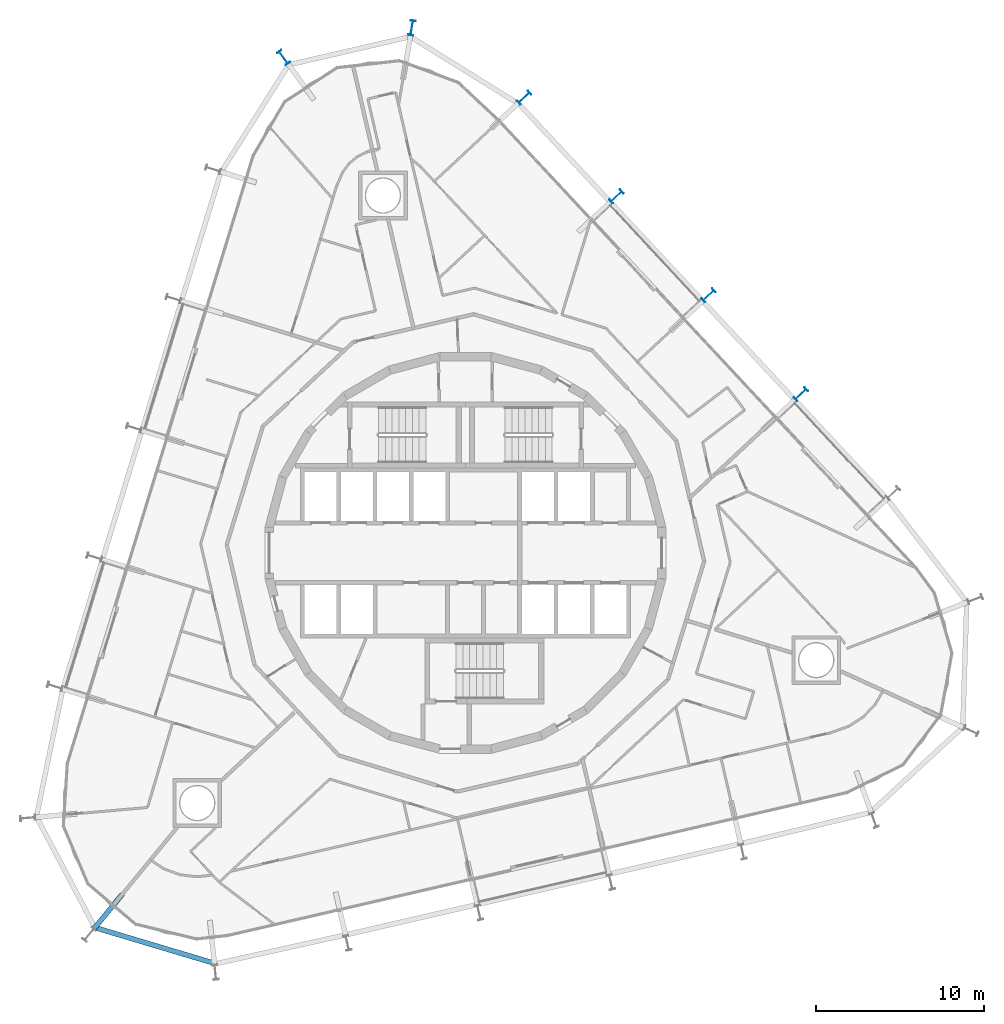
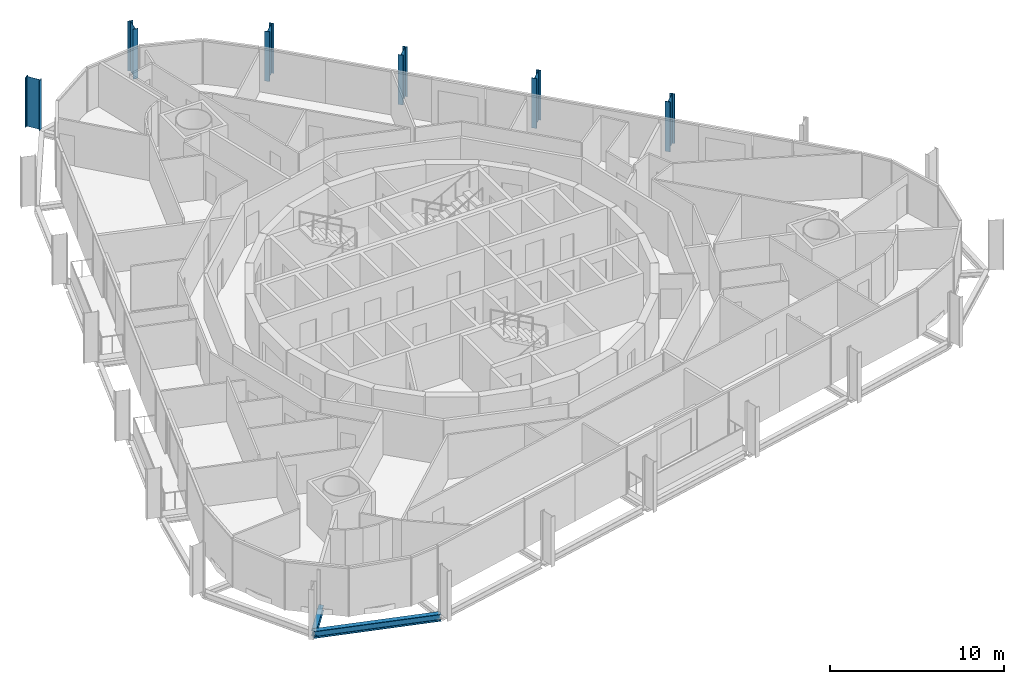
# One storey, part 2 of 18: 6 columns, 2 beams.
"""IFC4 building model written with IfcOpenShell, lengths in metres."""

from ifc_helpers import new_model, si_unit, direction, frame, origin, origin_2d, place, context, subcontext, project, spatial, i_section, extrude, material, material_profile, profile_set, type_object, element, save


model = new_model("IFC4")

# Units and contexts
model_context = context("Model", 3, precision=1e-05, world=origin(), true_north=direction((0.0, 1.0)))
body_context = subcontext(model_context, "Body", "Model", "MODEL_VIEW")
ifc_project = project(units=[si_unit("LENGTHUNIT", "METRE"), si_unit("AREAUNIT", "SQUARE_METRE"), si_unit("VOLUMEUNIT", "CUBIC_METRE"), si_unit("PLANEANGLEUNIT", "RADIAN"), si_unit("MASSUNIT", "GRAM", prefix="KILO")], contexts=[model_context])

# Site, building, storey
site_placement = place(None, origin())
site = spatial("IfcSite", under=ifc_project, at=site_placement, CompositionType="ELEMENT")
building_placement = place(site_placement, origin())
building = spatial("IfcBuilding", under=site, at=building_placement, Name="Spindle Arch Residences", CompositionType="ELEMENT")
storey_placement = place(building_placement, frame((0.0, 0.0, 130.89990234375)))
storey = spatial("IfcBuildingStorey", under=building, at=storey_placement, Name="L32", CompositionType="ELEMENT", Elevation=130.89990234375)

# Columns
ifc_material_1 = material(Name="Steel S460ML, intumescent coating R 240", Category="steel")
ifc_material_profile_1 = material_profile(ifc_material_1, i_section(OverallWidth=0.300048828125, OverallDepth=0.89990234375, WebThickness=0.0185546875, FlangeThickness=0.034912109375, FilletRadius=0.030029296875, at=origin_2d()), Name="HEB 900")
ifc_profile_set_1 = profile_set([ifc_material_profile_1], Name="Steel S460ML, intumescent coating R 240")
column_type = type_object("IfcColumnType", Name="Exoskeleton post HEB 900", PredefinedType="COLUMN", material=ifc_profile_set_1)
for number, where, z_axis, x_axis, name in (
    (1, (19.9150390625, 9.42236328125, -0.3798828125), (0.0, 0.0, 1.0), (0.68199801865, -0.731354019992, 0.0), "Exoskeleton post 7"),
    (2, (14.439208984375, 15.29443359375, -0.3798828125), (0.0, 0.0, 1.0), (0.68199801865, -0.731354019992, 0.0), "Exoskeleton post 8"),
    (3, (8.963134765625, 21.16650390625, -0.3798828125), (0.0, 0.0, 1.0), (0.68199801865, -0.731354019992, 0.0), "Exoskeleton post 9"),
    (4, (3.4873046875, 27.038818359375, -0.3798828125), (0.0, 0.0, 1.0), (0.68199801865, -0.731354019992, 0.0), "Exoskeleton post 10"),
    (5, (-3.185302734375, 31.177001953125, -0.3798828125), (0.0, 0.0, 1.0), (0.985484585876, -0.169764928655, 0.0), "Exoskeleton post 11"),
    (6, (-10.80419921875, 29.41796875, -0.3798828125), (0.0, 0.0, 1.0), (0.811328097008, 0.584591069898, 0.0), "Exoskeleton post 12"),
):
    element("IfcColumn", number, at=place(storey_placement, frame(where, z_axis=z_axis, x_axis=x_axis)), inside=storey, type_object=column_type, Name=name, PredefinedType="COLUMN", context=body_context, shape_type="SweptSolid", body=[
        extrude(i_section(OverallWidth=0.300048828125, OverallDepth=0.89990234375, WebThickness=0.0185546875, FlangeThickness=0.034912109375, FilletRadius=0.030029296875, at=origin_2d()), origin(), (0.0, 0.0, 1.0), 3.5),
    ])

# Beams
ifc_material_2 = material(Name="Steel S460ML, intumescent coating R 120", Category="steel")
ifc_material_profile_2 = material_profile(ifc_material_2, i_section(OverallWidth=0.300048828125, OverallDepth=0.5, WebThickness=0.014404296875, FlangeThickness=0.028076171875, FilletRadius=0.027099609375, at=origin_2d()), Name="HEB 500")
ifc_profile_set_2 = profile_set([ifc_material_profile_2], Name="Steel S460ML, intumescent coating R 120")
beam_type_1 = type_object("IfcBeamType", Name="Exoskeleton edge beam HEB 500", PredefinedType="BEAM", material=ifc_profile_set_2)
beam_1_placement = place(storey_placement, frame((-22.077392578125, -22.2265625, -0.6298828125), z_axis=(0.95815808572, -0.286239554865, 0.0), x_axis=(0.286239554865, 0.95815808572, 0.0)))
element("IfcBeam", 7, at=beam_1_placement, inside=storey, type_object=beam_type_1, Name="Exoskeleton edge beam 19", PredefinedType="BEAM", context=body_context, shape_type="SweptSolid", body=[
    extrude(i_section(OverallWidth=0.300048828125, OverallDepth=0.5, WebThickness=0.014404296875, FlangeThickness=0.028076171875, FilletRadius=0.027099609375, at=origin_2d()), origin(), (0.0, 0.0, 1.0), 7.5595703125),
])
ifc_material_3 = material(Name="Steel S460ML, intumescent coating R 120", Category="steel")
ifc_material_profile_3 = material_profile(ifc_material_3, i_section(OverallWidth=0.300048828125, OverallDepth=0.389892578125, WebThickness=0.010986328125, FlangeThickness=0.01904296875, FilletRadius=0.027099609375, at=origin_2d()), Name="HEA 400")
ifc_profile_set_3 = profile_set([ifc_material_profile_3], Name="Steel S460ML, intumescent coating R 120")
beam_type_2 = type_object("IfcBeamType", Name="Floor outrigger HEA 400", PredefinedType="BEAM", material=ifc_profile_set_3)
beam_2_placement = place(storey_placement, frame((-22.056396484375, -22.31103515625, -0.574951171875), z_axis=(0.634821942797, 0.772658463323, 0.0), x_axis=(-0.772658463323, 0.634821942797, 0.0)))
element("IfcBeam", 8, at=beam_2_placement, inside=storey, type_object=beam_type_2, Name="Floor outrigger 19", PredefinedType="BEAM", context=body_context, shape_type="SweptSolid", body=[
    extrude(i_section(OverallWidth=0.300048828125, OverallDepth=0.389892578125, WebThickness=0.010986328125, FlangeThickness=0.01904296875, FilletRadius=0.027099609375, at=origin_2d()), origin(), (0.0, 0.0, 1.0), 2.649658203125),
])

save(model, "model.ifc")
